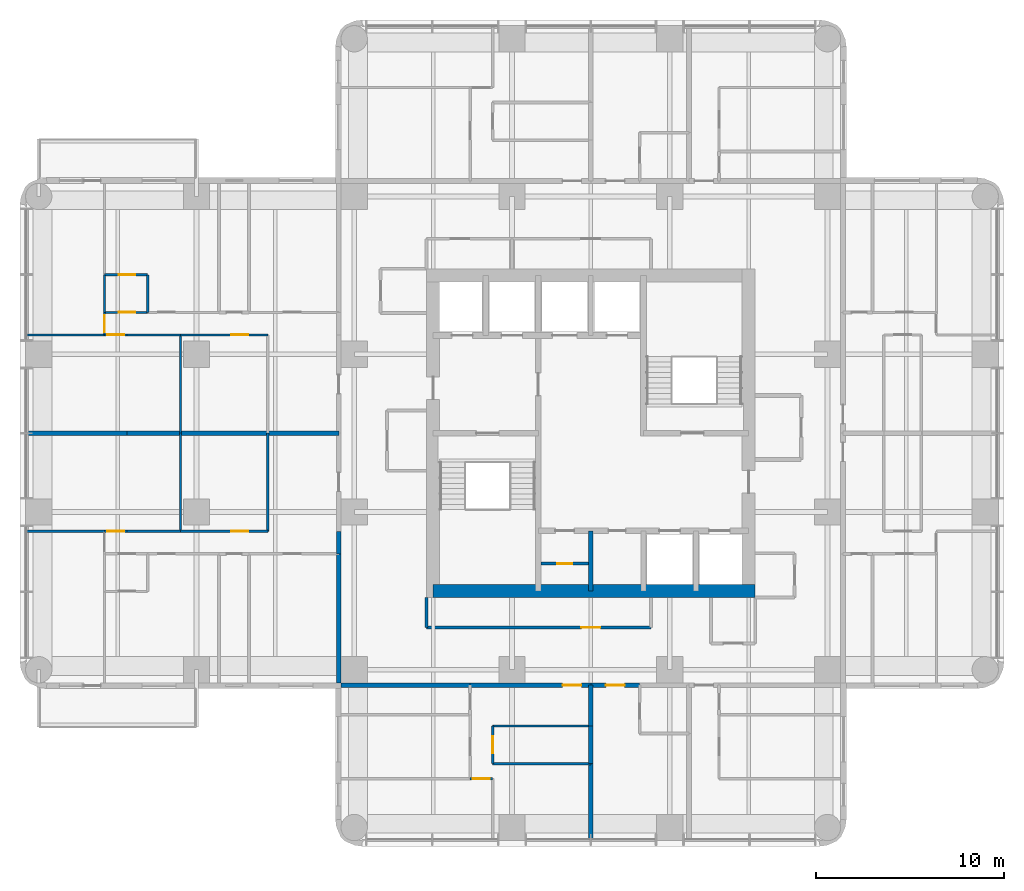
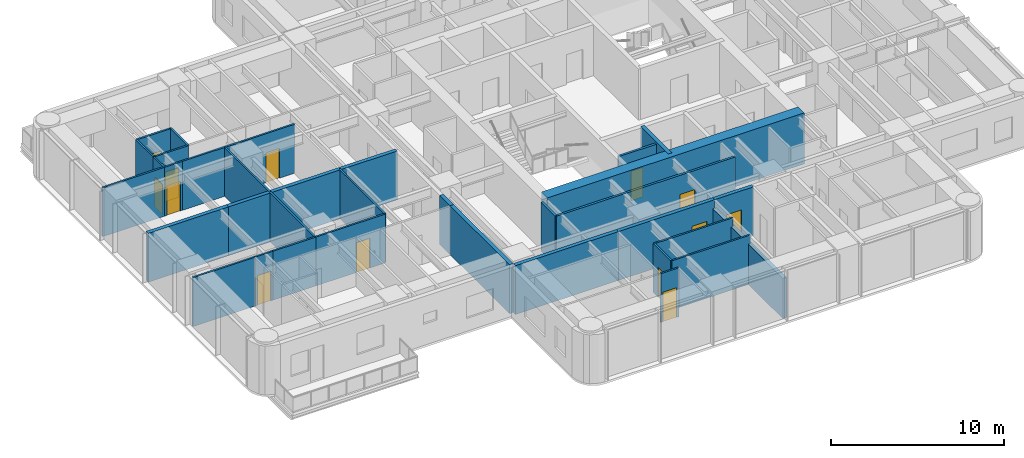
# One storey, part 5 of 11: 37 walls, 13 doors, 13 openings.
"""IFC4 building model written with IfcOpenShell, lengths in metres."""

from ifc_helpers import new_model, si_unit, direction, frame, frame_2d, origin, place, context, subcontext, project, spatial, rectangle, extrude, material, layer, layer_set, type_object, element, fill, save


model = new_model("IFC4")

# Units and contexts
model_context = context("Model", 3, precision=1e-05, world=origin(), true_north=direction((0.0, 1.0)))
body_context = subcontext(model_context, "Body", "Model", "MODEL_VIEW")
ifc_project = project(units=[si_unit("LENGTHUNIT", "METRE"), si_unit("AREAUNIT", "SQUARE_METRE"), si_unit("VOLUMEUNIT", "CUBIC_METRE"), si_unit("PLANEANGLEUNIT", "RADIAN"), si_unit("MASSUNIT", "GRAM", prefix="KILO")], contexts=[model_context])

# Site, building, storey
site_placement = place(None, origin())
site = spatial("IfcSite", under=ifc_project, at=site_placement, CompositionType="ELEMENT")
building_placement = place(site_placement, origin())
building = spatial("IfcBuilding", under=site, at=building_placement, Name="Torre Alcanfor", CompositionType="ELEMENT")
storey_placement = place(building_placement, frame((0.0, 0.0, 204.89990234375)))
storey = spatial("IfcBuildingStorey", under=building, at=storey_placement, Name="L53", CompositionType="ELEMENT", Elevation=204.89990234375)

# Wall, opening, door
ifc_material_1 = material(Name="Concrete block masonry, hollow blocks NMX-C-404 9 MPa", Category="masonry")
ifc_layer_1 = layer(ifc_material_1, 0.25)
ifc_layer_set_1 = layer_set([ifc_layer_1], Name="Apartment entrance wall 250 EI 60")
wall_type_1 = type_object("IfcWallType", Name="Apartment entrance wall 250 EI 60", PredefinedType="PARTITIONING", material=ifc_layer_set_1)
wall_1_placement = place(storey_placement, frame((32.0, 15.97509765625, 0.0), z_axis=(0.0, 0.0, 1.0), x_axis=(-1.0, 0.0, 0.0)))
wall_1 = element("IfcWall", 1, at=wall_1_placement, inside=storey, type_object=wall_type_1, Name="Partition L53-CORR / L53-S1A-STUDIO", PredefinedType="PARTITIONING", context=body_context, shape_type="SweptSolid", body=[
    extrude(rectangle(XDim=2.60009765625, YDim=0.25, at=frame_2d((1.300048828125, 0.0))), origin(), (0.0, 0.0, 1.0), 3.4501953125),
])
opening_1_placement = place(wall_1_placement, frame((0.800048828125, 0.0, 0.0)))
opening_1 = element("IfcOpeningElement", 2, at=opening_1_placement, cuts=wall_1, Name="Opening D-A1", PredefinedType="OPENING", context=body_context, shape_type="SweptSolid", body=[
    extrude(rectangle(XDim=1.0, YDim=2.10009765625, at=frame_2d((0.5, 1.050048828125))), frame((0.0, 0.135009765625, 0.0), z_axis=(0.0, -1.0, 0.0), x_axis=(1.0, 0.0, 0.0)), (0.0, 0.0, 1.0), 0.27001953125),
])
ifc_material_2 = material(Name="Galvanised steel sheet ASTM A653", Category="steel")
door_type_1 = type_object("IfcDoorType", Name="Apartment entrance door FD60 1000x2100", OperationType="SINGLE_SWING_LEFT", PredefinedType="DOOR", material=ifc_material_2)
door_1_placement = place(opening_1_placement, origin())
door_1 = element("IfcDoor", 3, at=door_1_placement, inside=storey, type_object=door_type_1, Name="Apartment entrance L53-S1A", OperationType="SINGLE_SWING_LEFT", OverallHeight=2.10009765625, OverallWidth=1.0, PredefinedType="DOOR", context=body_context, shape_type="SweptSolid", body=[
    extrude(rectangle(XDim=1.0, YDim=2.10009765625, at=frame_2d((0.5, 1.050048828125))), frame((0.0, 0.02490234375, 0.0), z_axis=(0.0, -1.0, 0.0), x_axis=(1.0, 0.0, 0.0)), (0.0, 0.0, 1.0), 0.050048828125),
])
fill(opening_1, door_1)

wall_2_placement = place(storey_placement, frame((29.39990234375, 15.97509765625, 0.0), z_axis=(0.0, 0.0, 1.0), x_axis=(-1.0, 0.0, 0.0)))
wall_2 = element("IfcWall", 4, at=wall_2_placement, inside=storey, type_object=wall_type_1, Name="Partition L53-CORR / L53-S2-LIVING", PredefinedType="PARTITIONING", context=body_context, shape_type="SweptSolid", body=[
    extrude(rectangle(XDim=6.428955078125, YDim=0.25, at=frame_2d((3.21435546875, 0.0))), origin(), (0.0, 0.0, 1.0), 3.4501953125),
])
opening_2_placement = place(wall_2_placement, frame((0.5, 0.0, 0.0)))
opening_2 = element("IfcOpeningElement", 5, at=opening_2_placement, cuts=wall_2, Name="Opening D-A1", PredefinedType="OPENING", context=body_context, shape_type="SweptSolid", body=[
    extrude(rectangle(XDim=1.0, YDim=2.10009765625, at=frame_2d((0.5, 1.050048828125))), frame((0.0, 0.135009765625, 0.0), z_axis=(0.0, -1.0, 0.0), x_axis=(1.0, 0.0, 0.0)), (0.0, 0.0, 1.0), 0.27001953125),
])
door_2_placement = place(opening_2_placement, origin())
door_2 = element("IfcDoor", 6, at=door_2_placement, inside=storey, type_object=door_type_1, Name="Apartment entrance L53-S2", OperationType="SINGLE_SWING_LEFT", OverallHeight=2.10009765625, OverallWidth=1.0, PredefinedType="DOOR", context=body_context, shape_type="SweptSolid", body=[
    extrude(rectangle(XDim=1.0, YDim=2.10009765625, at=frame_2d((0.5, 1.050048828125))), frame((0.0, 0.02490234375, 0.0), z_axis=(0.0, -1.0, 0.0), x_axis=(1.0, 0.0, 0.0)), (0.0, 0.0, 1.0), 0.050048828125),
])
fill(opening_2, door_2)

# Walls
wall_3_placement = place(storey_placement, frame((22.970947265625, 15.97509765625, 0.0), z_axis=(0.0, 0.0, 1.0), x_axis=(-1.0, 0.0, 0.0)))
element("IfcWall", 7, at=wall_3_placement, inside=storey, type_object=wall_type_1, Name="Partition L53-CORR / L53-S2-BATH", PredefinedType="PARTITIONING", context=body_context, shape_type="SweptSolid", body=[
    extrude(rectangle(XDim=6.870849609375, YDim=0.25, at=frame_2d((3.435546875, 0.0))), origin(), (0.0, 0.0, 1.0), 3.4501953125),
])
wall_4_placement = place(storey_placement, frame((15.97509765625, 22.970947265625, 0.0), z_axis=(0.0, 0.0, 1.0), x_axis=(0.0, 1.0, 0.0)))
element("IfcWall", 8, at=wall_4_placement, inside=storey, type_object=wall_type_1, Name="Partition L53-CORR / L53-W1-HALL", PredefinedType="PARTITIONING", context=body_context, shape_type="SweptSolid", body=[
    extrude(rectangle(XDim=1.199951171875, YDim=0.25, at=frame_2d((0.60009765625, 0.0))), origin(), (0.0, 0.0, 1.0), 3.4501953125),
])
wall_5_placement = place(storey_placement, frame((15.97509765625, 16.10009765625, 0.0), z_axis=(0.0, 0.0, 1.0), x_axis=(0.0, 1.0, 0.0)))
element("IfcWall", 9, at=wall_5_placement, inside=storey, type_object=wall_type_1, Name="Partition L53-CORR / L53-W1-BED2", PredefinedType="PARTITIONING", context=body_context, shape_type="SweptSolid", body=[
    extrude(rectangle(XDim=6.870849609375, YDim=0.25, at=frame_2d((3.435546875, 0.0))), origin(), (0.0, 0.0, 1.0), 3.4501953125),
])
ifc_material_3 = material(Name="Gypsum board on steel studs", Category="steel")
ifc_layer_2 = layer(ifc_material_3, 0.1201171875)
ifc_layer_set_2 = layer_set([ifc_layer_2], Name="Apartment partition 120")
wall_type_2 = type_object("IfcWallType", Name="Apartment partition 120", PredefinedType="PARTITIONING", material=ifc_layer_set_2)
wall_6_placement = place(storey_placement, frame((29.39990234375, 11.800048828125, 0.0), z_axis=(0.0, 0.0, 1.0), x_axis=(-1.0, 0.0, 0.0)))
element("IfcWall", 10, at=wall_6_placement, inside=storey, type_object=wall_type_2, Name="Partition L53-S2-KITCHEN / L53-S2-LIVING", PredefinedType="PARTITIONING", context=body_context, shape_type="SweptSolid", body=[
    extrude(rectangle(XDim=5.22900390625, YDim=0.1201171875, at=frame_2d((2.614501953125, 0.0))), origin(), (0.0, 0.0, 1.0), 3.4501953125),
])

# Wall, opening, door
wall_7_placement = place(storey_placement, frame((24.1708984375, 11.800048828125, 0.0), z_axis=(0.0, 0.0, 1.0), x_axis=(0.0, 1.0, 0.0)))
wall_7 = element("IfcWall", 11, at=wall_7_placement, inside=storey, type_object=wall_type_2, Name="Partition L53-S2-KITCHEN / L53-S2-LIVING", PredefinedType="PARTITIONING", context=body_context, shape_type="SweptSolid", body=[
    extrude(rectangle(XDim=2.0, YDim=0.1201171875, at=frame_2d((1.0, 0.0))), origin(), (0.0, 0.0, 1.0), 3.4501953125),
])
opening_3_placement = place(wall_7_placement, frame((0.550048828125, 0.0, 0.0)))
opening_3 = element("IfcOpeningElement", 12, at=opening_3_placement, cuts=wall_7, Name="Opening D-R1", PredefinedType="OPENING", context=body_context, shape_type="SweptSolid", body=[
    extrude(rectangle(XDim=0.89990234375, YDim=2.10009765625, at=frame_2d((0.449951171875, 1.050048828125))), frame((0.0, 0.070068359375, 0.0), z_axis=(0.0, -1.0, 0.0), x_axis=(1.0, 0.0, 0.0)), (0.0, 0.0, 1.0), 0.14013671875),
])
ifc_material_4 = material(Name="Timber", Category="wood")
door_type_2 = type_object("IfcDoorType", Name="Internal door 900x2100", OperationType="SINGLE_SWING_LEFT", PredefinedType="DOOR", material=ifc_material_4)
door_3_placement = place(opening_3_placement, frame((0.89990234375, 0.0, 0.0), z_axis=(0.0, 0.0, 1.0), x_axis=(-1.0, 0.0, 0.0)))
door_3 = element("IfcDoor", 13, at=door_3_placement, inside=storey, type_object=door_type_2, Name="Door L53-S2 kitchen", OperationType="SINGLE_SWING_RIGHT", OverallHeight=2.10009765625, OverallWidth=0.89990234375, PredefinedType="DOOR", context=body_context, shape_type="SweptSolid", body=[
    extrude(rectangle(XDim=0.89990234375, YDim=2.10009765625, at=frame_2d((0.449951171875, 1.050048828125))), frame((0.0, 0.025146484375, 0.0), z_axis=(0.0, -1.0, 0.0), x_axis=(1.0, 0.0, 0.0)), (0.0, 0.0, 1.0), 0.050048828125),
])
fill(opening_3, door_3)

# Wall
wall_8_placement = place(storey_placement, frame((24.1708984375, 13.800048828125, 0.0), z_axis=(0.0, 0.0, 1.0), x_axis=(1.0, 0.0, 0.0)))
element("IfcWall", 14, at=wall_8_placement, inside=storey, type_object=wall_type_2, Name="Partition L53-S2-KITCHEN / L53-S2-LIVING", PredefinedType="PARTITIONING", context=body_context, shape_type="SweptSolid", body=[
    extrude(rectangle(XDim=5.22900390625, YDim=0.1201171875, at=frame_2d((2.614501953125, 0.0))), origin(), (0.0, 0.0, 1.0), 3.4501953125),
])

# Wall, opening, door
wall_9_placement = place(storey_placement, frame((24.1708984375, 11.0, 0.0), z_axis=(0.0, 0.0, 1.0), x_axis=(-1.0, 0.0, 0.0)))
wall_9 = element("IfcWall", 15, at=wall_9_placement, inside=storey, type_object=wall_type_2, Name="Partition L53-S2-LIVING / L53-S2-MASTER", PredefinedType="PARTITIONING", context=body_context, shape_type="SweptSolid", body=[
    extrude(rectangle(XDim=1.199951171875, YDim=0.1201171875, at=frame_2d((0.60009765625, 0.0))), origin(), (0.0, 0.0, 1.0), 3.4501953125),
])
opening_4_placement = place(wall_9_placement, frame((0.15087890625, 0.0, 0.0)))
opening_4 = element("IfcOpeningElement", 16, at=opening_4_placement, cuts=wall_9, Name="Opening D-R1", PredefinedType="OPENING", context=body_context, shape_type="SweptSolid", body=[
    extrude(rectangle(XDim=0.89990234375, YDim=2.10009765625, at=frame_2d((0.449951171875, 1.050048828125))), frame((0.0, 0.070068359375, 0.0), z_axis=(0.0, -1.0, 0.0), x_axis=(1.0, 0.0, 0.0)), (0.0, 0.0, 1.0), 0.14013671875),
])
door_4_placement = place(opening_4_placement, origin())
door_4 = element("IfcDoor", 17, at=door_4_placement, inside=storey, type_object=door_type_2, Name="Door L53-S2 master", OperationType="SINGLE_SWING_LEFT", OverallHeight=2.10009765625, OverallWidth=0.89990234375, PredefinedType="DOOR", context=body_context, shape_type="SweptSolid", body=[
    extrude(rectangle(XDim=0.89990234375, YDim=2.10009765625, at=frame_2d((0.449951171875, 1.050048828125))), frame((0.0, 0.02490234375, 0.0), z_axis=(0.0, -1.0, 0.0), x_axis=(1.0, 0.0, 0.0)), (0.0, 0.0, 1.0), 0.050048828125),
])
fill(opening_4, door_4)

# Walls
for number, where, z_axis, x_axis, name in (
    (18, (12.199951171875, 29.39990234375, 0.0), (0.0, 0.0, 1.0), (0.0, -1.0, 0.0), "Partition L53-W1-ZAG / L53-W1-FAMILY"),
    (19, (7.550048828125, 29.39990234375, 0.0), (0.0, 0.0, 1.0), (0.0, -1.0, 0.0), "Partition L53-W1-FAMILY / L53-W1-KITCHEN"),
):
    element("IfcWall", number, at=place(storey_placement, frame(where, z_axis=z_axis, x_axis=x_axis)), inside=storey, type_object=wall_type_2, Name=name, PredefinedType="PARTITIONING", context=body_context, shape_type="SweptSolid", body=[
        extrude(rectangle(XDim=5.22900390625, YDim=0.1201171875, at=frame_2d((2.614501953125, 0.0))), origin(), (0.0, 0.0, 1.0), 3.4501953125),
    ])

# Wall, opening, door
wall_10_placement = place(storey_placement, frame((7.550048828125, 24.1708984375, 0.0), z_axis=(0.0, 0.0, 1.0), x_axis=(1.0, 0.0, 0.0)))
wall_10 = element("IfcWall", 20, at=wall_10_placement, inside=storey, type_object=wall_type_2, Name="Partition L53-W1-FAMILY / L53-W1-HALL", PredefinedType="PARTITIONING", context=body_context, shape_type="SweptSolid", body=[
    extrude(rectangle(XDim=4.64990234375, YDim=0.1201171875, at=frame_2d((2.324951171875, 0.0))), origin(), (0.0, 0.0, 1.0), 3.4501953125),
])
opening_5_placement = place(wall_10_placement, frame((2.699951171875, 0.0, 0.0)))
opening_5 = element("IfcOpeningElement", 21, at=opening_5_placement, cuts=wall_10, Name="Opening D-R1", PredefinedType="OPENING", context=body_context, shape_type="SweptSolid", body=[
    extrude(rectangle(XDim=0.89990234375, YDim=2.10009765625, at=frame_2d((0.449951171875, 1.050048828125))), frame((0.0, 0.070068359375, 0.0), z_axis=(0.0, -1.0, 0.0), x_axis=(1.0, 0.0, 0.0)), (0.0, 0.0, 1.0), 0.14013671875),
])
door_5_placement = place(opening_5_placement, origin())
door_5 = element("IfcDoor", 22, at=door_5_placement, inside=storey, type_object=door_type_2, Name="Door L53-W1 family", OperationType="SINGLE_SWING_RIGHT", OverallHeight=2.10009765625, OverallWidth=0.89990234375, PredefinedType="DOOR", context=body_context, shape_type="SweptSolid", body=[
    extrude(rectangle(XDim=0.89990234375, YDim=2.10009765625, at=frame_2d((0.449951171875, 1.050048828125))), frame((0.0, 0.02490234375, 0.0), z_axis=(0.0, -1.0, 0.0), x_axis=(1.0, 0.0, 0.0)), (0.0, 0.0, 1.0), 0.050048828125),
])
fill(opening_5, door_5)

# Wall
wall_11_placement = place(storey_placement, frame((4.699951171875, 24.1708984375, 0.0), z_axis=(0.0, 0.0, 1.0), x_axis=(1.0, 0.0, 0.0)))
element("IfcWall", 23, at=wall_11_placement, inside=storey, type_object=wall_type_2, Name="Partition L53-W1-KITCHEN / L53-W1-HALL", PredefinedType="PARTITIONING", context=body_context, shape_type="SweptSolid", body=[
    extrude(rectangle(XDim=2.85009765625, YDim=0.1201171875, at=frame_2d((1.425048828125, 0.0))), origin(), (0.0, 0.0, 1.0), 3.4501953125),
])

# Wall, opening, door
wall_12_placement = place(storey_placement, frame((3.5, 24.1708984375, 0.0), z_axis=(0.0, 0.0, 1.0), x_axis=(1.0, 0.0, 0.0)))
wall_12 = element("IfcWall", 24, at=wall_12_placement, inside=storey, type_object=wall_type_2, Name="Partition L53-W1-LIVING / L53-W1-HALL", PredefinedType="PARTITIONING", context=body_context, shape_type="SweptSolid", body=[
    extrude(rectangle(XDim=1.199951171875, YDim=0.1201171875, at=frame_2d((0.60009765625, 0.0))), origin(), (0.0, 0.0, 1.0), 3.4501953125),
])
opening_6_placement = place(wall_12_placement, frame((0.14990234375, 0.0, 0.0)))
opening_6 = element("IfcOpeningElement", 25, at=opening_6_placement, cuts=wall_12, Name="Opening D-R1", PredefinedType="OPENING", context=body_context, shape_type="SweptSolid", body=[
    extrude(rectangle(XDim=0.89990234375, YDim=2.10009765625, at=frame_2d((0.449951171875, 1.050048828125))), frame((0.0, 0.070068359375, 0.0), z_axis=(0.0, -1.0, 0.0), x_axis=(1.0, 0.0, 0.0)), (0.0, 0.0, 1.0), 0.14013671875),
])
door_6_placement = place(opening_6_placement, origin())
door_6 = element("IfcDoor", 26, at=door_6_placement, inside=storey, type_object=door_type_2, Name="Door L53-W1 living", OperationType="SINGLE_SWING_RIGHT", OverallHeight=2.10009765625, OverallWidth=0.89990234375, PredefinedType="DOOR", context=body_context, shape_type="SweptSolid", body=[
    extrude(rectangle(XDim=0.89990234375, YDim=2.10009765625, at=frame_2d((0.449951171875, 1.050048828125))), frame((0.0, 0.02490234375, 0.0), z_axis=(0.0, -1.0, 0.0), x_axis=(1.0, 0.0, 0.0)), (0.0, 0.0, 1.0), 0.050048828125),
])
fill(opening_6, door_6)

# Walls
wall_13_placement = place(storey_placement, frame((-0.64990234375, 24.1708984375, 0.0), z_axis=(0.0, 0.0, 1.0), x_axis=(1.0, 0.0, 0.0)))
element("IfcWall", 27, at=wall_13_placement, inside=storey, type_object=wall_type_2, Name="Partition L53-W1-LIVING / L53-W1-WGARD", PredefinedType="PARTITIONING", context=body_context, shape_type="SweptSolid", body=[
    extrude(rectangle(XDim=4.14990234375, YDim=0.1201171875, at=frame_2d((2.074951171875, 0.0))), origin(), (0.0, 0.0, 1.0), 3.4501953125),
])
wall_14_placement = place(storey_placement, frame((7.550048828125, 29.39990234375, 0.0), z_axis=(0.0, 0.0, 1.0), x_axis=(0.0, 1.0, 0.0)))
element("IfcWall", 28, at=wall_14_placement, inside=storey, type_object=wall_type_2, Name="Partition L53-W2-FAMILY / L53-W2-KITCHEN", PredefinedType="PARTITIONING", context=body_context, shape_type="SweptSolid", body=[
    extrude(rectangle(XDim=5.22900390625, YDim=0.1201171875, at=frame_2d((2.614501953125, 0.0))), origin(), (0.0, 0.0, 1.0), 3.4501953125),
])

# Wall, opening, door
wall_15_placement = place(storey_placement, frame((7.550048828125, 34.62890625, 0.0), z_axis=(0.0, 0.0, 1.0), x_axis=(1.0, 0.0, 0.0)))
wall_15 = element("IfcWall", 29, at=wall_15_placement, inside=storey, type_object=wall_type_2, Name="Partition L53-W2-FAMILY / L53-W2-HALL", PredefinedType="PARTITIONING", context=body_context, shape_type="SweptSolid", body=[
    extrude(rectangle(XDim=4.64990234375, YDim=0.1201171875, at=frame_2d((2.324951171875, 0.0))), origin(), (0.0, 0.0, 1.0), 3.4501953125),
])
opening_7_placement = place(wall_15_placement, frame((2.699951171875, 0.0, 0.0)))
opening_7 = element("IfcOpeningElement", 30, at=opening_7_placement, cuts=wall_15, Name="Opening D-R1", PredefinedType="OPENING", context=body_context, shape_type="SweptSolid", body=[
    extrude(rectangle(XDim=0.89990234375, YDim=2.10009765625, at=frame_2d((0.449951171875, 1.050048828125))), frame((0.0, 0.070068359375, 0.0), z_axis=(0.0, -1.0, 0.0), x_axis=(1.0, 0.0, 0.0)), (0.0, 0.0, 1.0), 0.14013671875),
])
door_7_placement = place(opening_7_placement, frame((0.89990234375, 0.0, 0.0), z_axis=(0.0, 0.0, 1.0), x_axis=(-1.0, 0.0, 0.0)))
door_7 = element("IfcDoor", 31, at=door_7_placement, inside=storey, type_object=door_type_2, Name="Door L53-W2 family", OperationType="SINGLE_SWING_LEFT", OverallHeight=2.10009765625, OverallWidth=0.89990234375, PredefinedType="DOOR", context=body_context, shape_type="SweptSolid", body=[
    extrude(rectangle(XDim=0.89990234375, YDim=2.10009765625, at=frame_2d((0.449951171875, 1.050048828125))), frame((0.0, 0.025146484375, 0.0), z_axis=(0.0, -1.0, 0.0), x_axis=(1.0, 0.0, 0.0)), (0.0, 0.0, 1.0), 0.050048828125),
])
fill(opening_7, door_7)

# Wall
wall_16_placement = place(storey_placement, frame((4.699951171875, 34.62890625, 0.0), z_axis=(0.0, 0.0, 1.0), x_axis=(1.0, 0.0, 0.0)))
element("IfcWall", 32, at=wall_16_placement, inside=storey, type_object=wall_type_2, Name="Partition L53-W2-KITCHEN / L53-W2-HALL", PredefinedType="PARTITIONING", context=body_context, shape_type="SweptSolid", body=[
    extrude(rectangle(XDim=2.85009765625, YDim=0.1201171875, at=frame_2d((1.425048828125, 0.0))), origin(), (0.0, 0.0, 1.0), 3.4501953125),
])

# Wall, opening, door
wall_17_placement = place(storey_placement, frame((3.5, 34.62890625, 0.0), z_axis=(0.0, 0.0, 1.0), x_axis=(1.0, 0.0, 0.0)))
wall_17 = element("IfcWall", 33, at=wall_17_placement, inside=storey, type_object=wall_type_2, Name="Partition L53-W2-LIVING / L53-W2-HALL", PredefinedType="PARTITIONING", context=body_context, shape_type="SweptSolid", body=[
    extrude(rectangle(XDim=1.199951171875, YDim=0.1201171875, at=frame_2d((0.60009765625, 0.0))), origin(), (0.0, 0.0, 1.0), 3.4501953125),
])
opening_8_placement = place(wall_17_placement, frame((0.14990234375, 0.0, 0.0)))
opening_8 = element("IfcOpeningElement", 34, at=opening_8_placement, cuts=wall_17, Name="Opening D-R1", PredefinedType="OPENING", context=body_context, shape_type="SweptSolid", body=[
    extrude(rectangle(XDim=0.89990234375, YDim=2.10009765625, at=frame_2d((0.449951171875, 1.050048828125))), frame((0.0, 0.070068359375, 0.0), z_axis=(0.0, -1.0, 0.0), x_axis=(1.0, 0.0, 0.0)), (0.0, 0.0, 1.0), 0.14013671875),
])
door_8_placement = place(opening_8_placement, frame((0.89990234375, 0.0, 0.0), z_axis=(0.0, 0.0, 1.0), x_axis=(-1.0, 0.0, 0.0)))
door_8 = element("IfcDoor", 35, at=door_8_placement, inside=storey, type_object=door_type_2, Name="Door L53-W2 living", OperationType="SINGLE_SWING_LEFT", OverallHeight=2.10009765625, OverallWidth=0.89990234375, PredefinedType="DOOR", context=body_context, shape_type="SweptSolid", body=[
    extrude(rectangle(XDim=0.89990234375, YDim=2.10009765625, at=frame_2d((0.449951171875, 1.050048828125))), frame((0.0, 0.025146484375, 0.0), z_axis=(0.0, -1.0, 0.0), x_axis=(1.0, 0.0, 0.0)), (0.0, 0.0, 1.0), 0.050048828125),
])
fill(opening_8, door_8)

# Wall
wall_18_placement = place(storey_placement, frame((-0.64990234375, 34.62890625, 0.0), z_axis=(0.0, 0.0, 1.0), x_axis=(1.0, 0.0, 0.0)))
element("IfcWall", 36, at=wall_18_placement, inside=storey, type_object=wall_type_2, Name="Partition L53-W2-LIVING / L53-W2-WGARD", PredefinedType="PARTITIONING", context=body_context, shape_type="SweptSolid", body=[
    extrude(rectangle(XDim=4.14990234375, YDim=0.1201171875, at=frame_2d((2.074951171875, 0.0))), origin(), (0.0, 0.0, 1.0), 3.4501953125),
])

# Wall, opening, door
wall_19_placement = place(storey_placement, frame((3.5, 35.8291015625, 0.0), z_axis=(0.0, 0.0, 1.0), x_axis=(1.0, 0.0, 0.0)))
wall_19 = element("IfcWall", 37, at=wall_19_placement, inside=storey, type_object=wall_type_2, Name="Partition L53-W2-HALL / L53-W2-VEST", PredefinedType="PARTITIONING", context=body_context, shape_type="SweptSolid", body=[
    extrude(rectangle(XDim=2.300048828125, YDim=0.1201171875, at=frame_2d((1.14990234375, 0.0))), origin(), (0.0, 0.0, 1.0), 3.4501953125),
])
opening_9_placement = place(wall_19_placement, frame((0.75, 0.0, 0.0)))
opening_9 = element("IfcOpeningElement", 38, at=opening_9_placement, cuts=wall_19, Name="Opening D-R1", PredefinedType="OPENING", context=body_context, shape_type="SweptSolid", body=[
    extrude(rectangle(XDim=0.89990234375, YDim=2.10009765625, at=frame_2d((0.449951171875, 1.050048828125))), frame((0.0, 0.070068359375, 0.0), z_axis=(0.0, -1.0, 0.0), x_axis=(1.0, 0.0, 0.0)), (0.0, 0.0, 1.0), 0.14013671875),
])
door_9_placement = place(opening_9_placement, origin())
door_9 = element("IfcDoor", 39, at=door_9_placement, inside=storey, type_object=door_type_2, Name="Door L53-W2 vest", OperationType="SINGLE_SWING_RIGHT", OverallHeight=2.10009765625, OverallWidth=0.89990234375, PredefinedType="DOOR", context=body_context, shape_type="SweptSolid", body=[
    extrude(rectangle(XDim=0.89990234375, YDim=2.10009765625, at=frame_2d((0.449951171875, 1.050048828125))), frame((0.0, 0.02490234375, 0.0), z_axis=(0.0, -1.0, 0.0), x_axis=(1.0, 0.0, 0.0)), (0.0, 0.0, 1.0), 0.050048828125),
])
fill(opening_9, door_9)

wall_20_placement = place(storey_placement, frame((3.5, 34.62890625, 0.0), z_axis=(0.0, 0.0, 1.0), x_axis=(0.0, 1.0, 0.0)))
wall_20 = element("IfcWall", 40, at=wall_20_placement, inside=storey, type_object=wall_type_2, Name="Partition L53-W2-HALL / L53-W2-WGARD", PredefinedType="PARTITIONING", context=body_context, shape_type="SweptSolid", body=[
    extrude(rectangle(XDim=1.2001953125, YDim=0.1201171875, at=frame_2d((0.60009765625, 0.0))), origin(), (0.0, 0.0, 1.0), 3.4501953125),
])
opening_10_placement = place(wall_20_placement, frame((0.15087890625, 0.0, 0.0)))
opening_10 = element("IfcOpeningElement", 41, at=opening_10_placement, cuts=wall_20, Name="Opening D-R1", PredefinedType="OPENING", context=body_context, shape_type="SweptSolid", body=[
    extrude(rectangle(XDim=0.89990234375, YDim=2.10009765625, at=frame_2d((0.449951171875, 1.050048828125))), frame((0.0, 0.070068359375, 0.0), z_axis=(0.0, -1.0, 0.0), x_axis=(1.0, 0.0, 0.0)), (0.0, 0.0, 1.0), 0.14013671875),
])
door_10_placement = place(opening_10_placement, origin())
door_10 = element("IfcDoor", 42, at=door_10_placement, inside=storey, type_object=door_type_2, Name="Door L53-W2 wgard", OperationType="SINGLE_SWING_LEFT", OverallHeight=2.10009765625, OverallWidth=0.89990234375, PredefinedType="DOOR", context=body_context, shape_type="SweptSolid", body=[
    extrude(rectangle(XDim=0.89990234375, YDim=2.10009765625, at=frame_2d((0.449951171875, 1.050048828125))), frame((0.0, 0.02490234375, 0.0), z_axis=(0.0, -1.0, 0.0), x_axis=(1.0, 0.0, 0.0)), (0.0, 0.0, 1.0), 0.050048828125),
])
fill(opening_10, door_10)

# Wall
wall_21_placement = place(storey_placement, frame((5.800048828125, 35.8291015625, 0.0), z_axis=(0.0, 0.0, 1.0), x_axis=(0.0, 1.0, 0.0)))
element("IfcWall", 43, at=wall_21_placement, inside=storey, type_object=wall_type_2, Name="Partition L53-W2-MASTER / L53-W2-VEST", PredefinedType="PARTITIONING", context=body_context, shape_type="SweptSolid", body=[
    extrude(rectangle(XDim=2.0, YDim=0.1201171875, at=frame_2d((1.0, 0.0))), origin(), (0.0, 0.0, 1.0), 3.4501953125),
])

# Wall, opening, door
wall_22_placement = place(storey_placement, frame((5.800048828125, 37.8291015625, 0.0), z_axis=(0.0, 0.0, 1.0), x_axis=(-1.0, 0.0, 0.0)))
wall_22 = element("IfcWall", 44, at=wall_22_placement, inside=storey, type_object=wall_type_2, Name="Partition L53-W2-MASTER / L53-W2-VEST", PredefinedType="PARTITIONING", context=body_context, shape_type="SweptSolid", body=[
    extrude(rectangle(XDim=2.300048828125, YDim=0.1201171875, at=frame_2d((1.14990234375, 0.0))), origin(), (0.0, 0.0, 1.0), 3.4501953125),
])
opening_11_placement = place(wall_22_placement, frame((0.64990234375, 0.0, 0.0)))
opening_11 = element("IfcOpeningElement", 45, at=opening_11_placement, cuts=wall_22, Name="Opening D-R1", PredefinedType="OPENING", context=body_context, shape_type="SweptSolid", body=[
    extrude(rectangle(XDim=0.89990234375, YDim=2.10009765625, at=frame_2d((0.449951171875, 1.050048828125))), frame((0.0, 0.070068359375, 0.0), z_axis=(0.0, -1.0, 0.0), x_axis=(1.0, 0.0, 0.0)), (0.0, 0.0, 1.0), 0.14013671875),
])
door_11_placement = place(opening_11_placement, origin())
door_11 = element("IfcDoor", 46, at=door_11_placement, inside=storey, type_object=door_type_2, Name="Door L53-W2 master", OperationType="SINGLE_SWING_LEFT", OverallHeight=2.10009765625, OverallWidth=0.89990234375, PredefinedType="DOOR", context=body_context, shape_type="SweptSolid", body=[
    extrude(rectangle(XDim=0.89990234375, YDim=2.10009765625, at=frame_2d((0.449951171875, 1.050048828125))), frame((0.0, 0.02490234375, 0.0), z_axis=(0.0, -1.0, 0.0), x_axis=(1.0, 0.0, 0.0)), (0.0, 0.0, 1.0), 0.050048828125),
])
fill(opening_11, door_11)

# Walls
wall_23_placement = place(storey_placement, frame((3.5, 35.8291015625, 0.0), z_axis=(0.0, 0.0, 1.0), x_axis=(0.0, 1.0, 0.0)))
element("IfcWall", 47, at=wall_23_placement, inside=storey, type_object=wall_type_2, Name="Partition L53-W2-VEST / L53-W2-WGARD", PredefinedType="PARTITIONING", context=body_context, shape_type="SweptSolid", body=[
    extrude(rectangle(XDim=2.0, YDim=0.1201171875, at=frame_2d((1.0, 0.0))), origin(), (0.0, 0.0, 1.0), 3.4501953125),
])
ifc_material_5 = material(Name="Concrete f'c 70 MPa", Category="concrete")
ifc_layer_3 = layer(ifc_material_5, 0.25)
ifc_layer_set_3 = layer_set([ifc_layer_3], Name="Core shaft wall 250 f'c70")
wall_type_3 = type_object("IfcWallType", Name="Core shaft wall 250 f'c70", PredefinedType="SHEAR", material=ifc_layer_set_3)
wall_24_placement = place(storey_placement, frame((29.39990234375, 21.0, 0.0), z_axis=(0.0, 0.0, 1.0), x_axis=(0.0, 1.0, 0.0)))
element("IfcWall", 48, at=wall_24_placement, inside=storey, type_object=wall_type_3, Name="Core wall X294S L53", PredefinedType="SHEAR", context=body_context, shape_type="SweptSolid", body=[
    extrude(rectangle(XDim=3.199951171875, YDim=0.25, at=frame_2d((1.60009765625, 0.0))), origin(), (0.0, 0.0, 1.0), 3.60009765625),
])
ifc_material_6 = material(Name="Concrete f'c 70 MPa", Category="concrete")
ifc_layer_4 = layer(ifc_material_6, 0.699951171875)
ifc_layer_set_4 = layer_set([ifc_layer_4], Name="Core wall 700 f'c70")
wall_type_4 = type_object("IfcWallType", Name="Core wall 700 f'c70", PredefinedType="SHEAR", material=ifc_layer_set_4)
wall_25_placement = place(storey_placement, frame((21.0, 21.0, 0.0), z_axis=(0.0, 0.0, 1.0), x_axis=(1.0, 0.0, 0.0)))
element("IfcWall", 49, at=wall_25_placement, inside=storey, type_object=wall_type_4, Name="Core wall OUT-S L53", PredefinedType="SHEAR", context=body_context, shape_type="SweptSolid", body=[
    extrude(rectangle(XDim=17.14990234375, YDim=0.699951171875, at=frame_2d((8.574951171875, 0.0))), origin(), (0.0, 0.0, 1.0), 3.60009765625),
])
ifc_material_7 = material(Name="Concrete block masonry, hollow blocks NMX-C-404 9 MPa", Category="masonry")
ifc_layer_5 = layer(ifc_material_7, 0.25)
ifc_layer_set_5 = layer_set([ifc_layer_5], Name="Party wall 250 EI 60")
wall_type_5 = type_object("IfcWallType", Name="Party wall 250 EI 60", PredefinedType="PARTITIONING", material=ifc_layer_set_5)
wall_26_placement = place(storey_placement, frame((29.39990234375, 11.800048828125, 0.0), z_axis=(0.0, 0.0, 1.0), x_axis=(0.0, 1.0, 0.0)))
element("IfcWall", 50, at=wall_26_placement, inside=storey, type_object=wall_type_5, Name="Partition L53-S1A-STUDIO / L53-S2-KITCHEN", PredefinedType="PARTITIONING", context=body_context, shape_type="SweptSolid", body=[
    extrude(rectangle(XDim=2.0, YDim=0.25, at=frame_2d((1.0, 0.0))), origin(), (0.0, 0.0, 1.0), 2.84814453125),
])
wall_27_placement = place(storey_placement, frame((29.39990234375, 7.75, 0.0), z_axis=(0.0, 0.0, 1.0), x_axis=(0.0, 1.0, 0.0)))
element("IfcWall", 51, at=wall_27_placement, inside=storey, type_object=wall_type_5, Name="Partition L53-S1A-STUDIO / L53-S2-LIVING", PredefinedType="PARTITIONING", context=body_context, shape_type="SweptSolid", body=[
    extrude(rectangle(XDim=4.050048828125, YDim=0.25, at=frame_2d((2.02490234375, 0.0))), origin(), (0.0, 0.0, 1.0), 2.84814453125),
])
wall_28_placement = place(storey_placement, frame((29.39990234375, 13.800048828125, 0.0), z_axis=(0.0, 0.0, 1.0), x_axis=(0.0, 1.0, 0.0)))
element("IfcWall", 52, at=wall_28_placement, inside=storey, type_object=wall_type_5, Name="Partition L53-S1A-STUDIO / L53-S2-LIVING", PredefinedType="PARTITIONING", context=body_context, shape_type="SweptSolid", body=[
    extrude(rectangle(XDim=2.175048828125, YDim=0.25, at=frame_2d((1.08740234375, 0.0))), origin(), (0.0, 0.0, 1.0), 2.84814453125),
])
wall_29_placement = place(storey_placement, frame((15.97509765625, 29.39990234375, 0.0), z_axis=(0.0, 0.0, 1.0), x_axis=(-1.0, 0.0, 0.0)))
element("IfcWall", 53, at=wall_29_placement, inside=storey, type_object=wall_type_5, Name="Partition L53-W1-ZAG / L53-W2-ZAG", PredefinedType="PARTITIONING", context=body_context, shape_type="SweptSolid", body=[
    extrude(rectangle(XDim=3.775146484375, YDim=0.25, at=frame_2d((1.8876953125, 0.0))), origin(), (0.0, 0.0, 1.0), 3.4501953125),
])
wall_30_placement = place(storey_placement, frame((12.199951171875, 29.39990234375, 0.0), z_axis=(0.0, 0.0, 1.0), x_axis=(-1.0, 0.0, 0.0)))
element("IfcWall", 54, at=wall_30_placement, inside=storey, type_object=wall_type_5, Name="Partition L53-W1-FAMILY / L53-W2-FAMILY", PredefinedType="PARTITIONING", context=body_context, shape_type="SweptSolid", body=[
    extrude(rectangle(XDim=4.64990234375, YDim=0.25, at=frame_2d((2.324951171875, 0.0))), origin(), (0.0, 0.0, 1.0), 3.4501953125),
])
wall_31_placement = place(storey_placement, frame((7.550048828125, 29.39990234375, 0.0), z_axis=(0.0, 0.0, 1.0), x_axis=(-1.0, 0.0, 0.0)))
element("IfcWall", 55, at=wall_31_placement, inside=storey, type_object=wall_type_5, Name="Partition L53-W1-KITCHEN / L53-W2-KITCHEN", PredefinedType="PARTITIONING", context=body_context, shape_type="SweptSolid", body=[
    extrude(rectangle(XDim=2.85009765625, YDim=0.25, at=frame_2d((1.425048828125, 0.0))), origin(), (0.0, 0.0, 1.0), 3.4501953125),
])
wall_32_placement = place(storey_placement, frame((4.699951171875, 29.39990234375, 0.0), z_axis=(0.0, 0.0, 1.0), x_axis=(-1.0, 0.0, 0.0)))
element("IfcWall", 56, at=wall_32_placement, inside=storey, type_object=wall_type_5, Name="Partition L53-W1-LIVING / L53-W2-LIVING", PredefinedType="PARTITIONING", context=body_context, shape_type="SweptSolid", body=[
    extrude(rectangle(XDim=5.349853515625, YDim=0.25, at=frame_2d((2.6748046875, 0.0))), origin(), (0.0, 0.0, 1.0), 3.4501953125),
])
ifc_material_8 = material(Name="Concrete block masonry, hollow blocks NMX-C-404 9 MPa", Category="masonry")
ifc_layer_6 = layer(ifc_material_8, 0.14990234375)
ifc_layer_set_6 = layer_set([ifc_layer_6], Name="Residents' room partition 150")
wall_type_6 = type_object("IfcWallType", Name="Residents' room partition 150", PredefinedType="PARTITIONING", material=ifc_layer_set_6)
wall_33_placement = place(storey_placement, frame((20.64990234375, 20.64990234375, 0.0), z_axis=(0.0, 0.0, 1.0), x_axis=(0.0, -1.0, 0.0)))
element("IfcWall", 57, at=wall_33_placement, inside=storey, type_object=wall_type_6, Name="Partition L53-CORR / L53-G05", PredefinedType="PARTITIONING", context=body_context, shape_type="SweptSolid", body=[
    extrude(rectangle(XDim=1.599853515625, YDim=0.14990234375, at=frame_2d((0.7998046875, 0.0))), origin(), (0.0, 0.0, 1.0), 3.4501953125),
])

# Wall, opening, door
wall_34_placement = place(storey_placement, frame((20.64990234375, 19.050048828125, 0.0), z_axis=(0.0, 0.0, 1.0), x_axis=(1.0, 0.0, 0.0)))
wall_34 = element("IfcWall", 58, at=wall_34_placement, inside=storey, type_object=wall_type_6, Name="Partition L53-CORR / L53-G05", PredefinedType="PARTITIONING", context=body_context, shape_type="SweptSolid", body=[
    extrude(rectangle(XDim=11.9501953125, YDim=0.14990234375, at=frame_2d((5.97509765625, 0.0))), origin(), (0.0, 0.0, 1.0), 3.4501953125),
])
opening_12_placement = place(wall_34_placement, frame((8.25, 0.0, 0.0)))
opening_12 = element("IfcOpeningElement", 59, at=opening_12_placement, cuts=wall_34, Name="Opening D-M1", PredefinedType="OPENING", context=body_context, shape_type="SweptSolid", body=[
    extrude(rectangle(XDim=1.0, YDim=2.10009765625, at=frame_2d((0.5, 1.050048828125))), frame((0.0, 0.0849609375, 0.0), z_axis=(0.0, -1.0, 0.0), x_axis=(1.0, 0.0, 0.0)), (0.0, 0.0, 1.0), 0.169921875),
])
ifc_material_9 = material(Name="Timber", Category="wood")
door_type_3 = type_object("IfcDoorType", Name="Residents' room door 1000x2100", OperationType="SINGLE_SWING_LEFT", PredefinedType="DOOR", material=ifc_material_9)
door_12_placement = place(opening_12_placement, origin())
door_12 = element("IfcDoor", 60, at=door_12_placement, inside=storey, type_object=door_type_3, Name="Door L53-G05 residents' study", OperationType="SINGLE_SWING_RIGHT", OverallHeight=2.10009765625, OverallWidth=1.0, PredefinedType="DOOR", context=body_context, shape_type="SweptSolid", body=[
    extrude(rectangle(XDim=1.0, YDim=2.10009765625, at=frame_2d((0.5, 1.050048828125))), frame((0.0, 0.02490234375, 0.0), z_axis=(0.0, -1.0, 0.0), x_axis=(1.0, 0.0, 0.0)), (0.0, 0.0, 1.0), 0.050048828125),
])
fill(opening_12, door_12)

wall_35_placement = place(storey_placement, frame((26.75, 22.449951171875, 0.0), z_axis=(0.0, 0.0, 1.0), x_axis=(1.0, 0.0, 0.0)))
wall_35 = element("IfcWall", 61, at=wall_35_placement, inside=storey, type_object=wall_type_6, Name="Partition L53-PA1R / L53-PA1C", PredefinedType="PARTITIONING", context=body_context, shape_type="SweptSolid", body=[
    extrude(rectangle(XDim=2.52490234375, YDim=0.14990234375, at=frame_2d((1.262451171875, 0.0))), origin(), (0.0, 0.0, 1.0), 3.4501953125),
])
opening_13_placement = place(wall_35_placement, frame((0.862548828125, 0.0, 0.0)))
opening_13 = element("IfcOpeningElement", 62, at=opening_13_placement, cuts=wall_35, Name="Opening D-R2", PredefinedType="OPENING", context=body_context, shape_type="SweptSolid", body=[
    extrude(rectangle(XDim=0.800048828125, YDim=2.10009765625, at=frame_2d((0.39990234375, 1.050048828125))), frame((0.0, 0.0849609375, 0.0), z_axis=(0.0, -1.0, 0.0), x_axis=(1.0, 0.0, 0.0)), (0.0, 0.0, 1.0), 0.169921875),
])
ifc_material_10 = material(Name="Timber", Category="wood")
door_type_4 = type_object("IfcDoorType", Name="Bathroom door 800x2100", OperationType="SINGLE_SWING_LEFT", PredefinedType="DOOR", material=ifc_material_10)
door_13_placement = place(opening_13_placement, frame((0.800048828125, 0.0, 0.0), z_axis=(0.0, 0.0, 1.0), x_axis=(-1.0, 0.0, 0.0)))
door_13 = element("IfcDoor", 63, at=door_13_placement, inside=storey, type_object=door_type_4, Name="Battery and UPS cupboard door L53", OperationType="SINGLE_SWING_RIGHT", OverallHeight=2.10009765625, OverallWidth=0.800048828125, PredefinedType="DOOR", context=body_context, shape_type="SweptSolid", body=[
    extrude(rectangle(XDim=0.800048828125, YDim=2.10009765625, at=frame_2d((0.400146484375, 1.050048828125))), frame((0.0, 0.025146484375, 0.0), z_axis=(0.0, -1.0, 0.0), x_axis=(1.0, 0.0, 0.0)), (0.0, 0.0, 1.0), 0.050048828125),
])
fill(opening_13, door_13)

save(model, "model.ifc")
